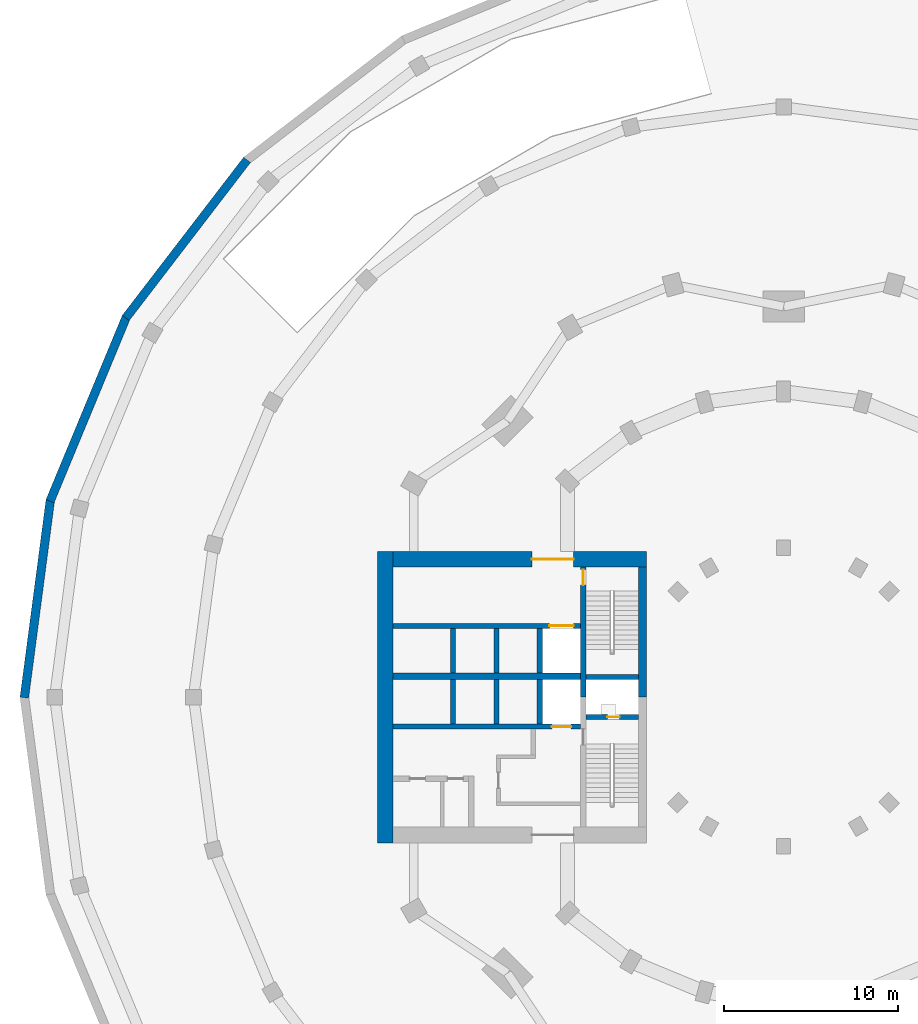
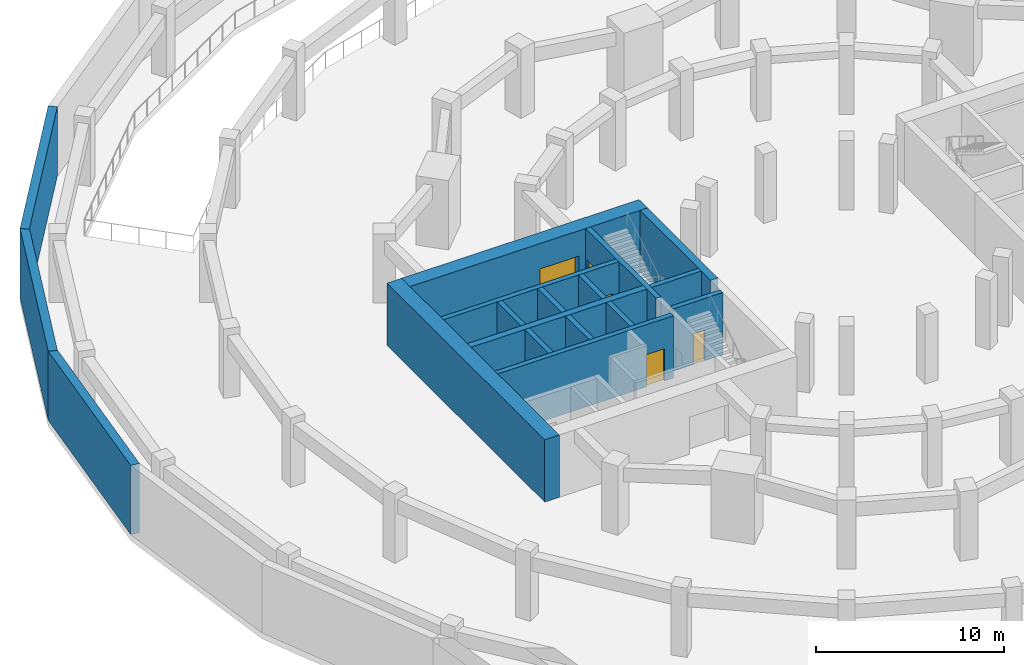
# One storey, part 4 of 7: 18 walls, 5 doors, 5 openings.
"""IFC4 building model written with IfcOpenShell, lengths in metres."""

import ifcopenshell
import ifcopenshell.guid

model = None  # the IFC model being written
_history = None  # IfcOwnerHistory: only IFC2X3 demands one
_inside = {}  # id of a spatial element -> (the spatial element, [elements in it])
_under = {}  # id of a project, library or spatial element -> (it, [spatial elements below it])
_declared = {}  # id of a project -> (the project, [libraries it declares])
_typed = {}  # id of a type object -> (the type object, [elements of that type])
_made_of = {}  # id of a material, layer set ... -> (it, [elements and type objects made of it])


def new_model(schema):
    """Start an empty IFC model of exactly this schema.

    Asked for "IFC4X3", IfcOpenShell would pick the latest addendum, in which some entities
    have other attributes; the version numbers below select the first issue.
    IFC2X3 requires an IfcOwnerHistory on every rooted entity: one is made here for all.
    """
    global model, _history
    if schema == "IFC4X3":
        model = ifcopenshell.file(schema_version=(4, 3, 0, 0))
    else:
        model = ifcopenshell.file(schema=schema)
    _inside.clear()
    _under.clear()
    _declared.clear()
    _typed.clear()
    _made_of.clear()
    _history = None
    if model.schema == "IFC2X3":
        org = make("IfcOrganization", Name="unknown")
        user = make(
            "IfcPersonAndOrganization",
            ThePerson=make("IfcPerson", FamilyName="unknown"),
            TheOrganization=org,
        )
        app = make(
            "IfcApplication",
            ApplicationDeveloper=org,
            Version="unknown",
            ApplicationFullName="unknown",
            ApplicationIdentifier="unknown",
        )
        _history = make(
            "IfcOwnerHistory",
            OwningUser=user,
            OwningApplication=app,
            ChangeAction="ADDED",
            CreationDate=0,
        )
    return model


def make(cls, **values):
    """One entity of the class cls with the attributes given. An attribute that is None is left unset."""
    return model.create_entity(
        cls, **{name: value for name, value in values.items() if value is not None}
    )


def rooted(cls, **values):
    """An entity with a GlobalId (a new one), such as an element, a storey or a relation."""
    return make(cls, GlobalId=ifcopenshell.guid.new(), OwnerHistory=_history, **values)


def si_unit(unit_type, name, prefix=None):
    """IfcSIUnit, for example si_unit("LENGTHUNIT", "METRE", prefix="MILLI")."""
    return make("IfcSIUnit", UnitType=unit_type, Prefix=prefix, Name=name)


def assignment(units):
    """IfcUnitAssignment: the units of a project."""
    return None if units is None else make("IfcUnitAssignment", Units=units)


def point(xyz):
    """IfcCartesianPoint."""
    return None if xyz is None else make("IfcCartesianPoint", Coordinates=xyz)


def direction(xyz):
    """IfcDirection."""
    return None if xyz is None else make("IfcDirection", DirectionRatios=xyz)


def frame(location, z_axis=None, x_axis=None):
    """IfcAxis2Placement3D, a coordinate frame: its origin and axes. An axis left out is left unset."""
    return make(
        "IfcAxis2Placement3D",
        Location=point(location),
        Axis=direction(z_axis),
        RefDirection=direction(x_axis),
    )


def frame_2d(location, x_axis=None):
    """IfcAxis2Placement2D, a coordinate frame in the plane: its origin and x axis."""
    return make(
        "IfcAxis2Placement2D", Location=point(location), RefDirection=direction(x_axis)
    )


def origin():
    """The frame at (0, 0, 0) with its axes left unset."""
    return frame((0.0, 0.0, 0.0))


def place(relative_to, where):
    """IfcLocalPlacement: puts the frame where relative to a parent placement (None: the world)."""
    return make(
        "IfcLocalPlacement", PlacementRelTo=relative_to, RelativePlacement=where
    )


def context(
    kind, dimensions, precision=None, world=None, true_north=None, identifier=None
):
    """IfcGeometricRepresentationContext, for example the 3D "Model" context."""
    return make(
        "IfcGeometricRepresentationContext",
        ContextIdentifier=identifier,
        ContextType=kind,
        CoordinateSpaceDimension=dimensions,
        Precision=precision,
        WorldCoordinateSystem=world,
        TrueNorth=true_north,
    )


def subcontext(parent, identifier, kind, view, scale=None):
    """IfcGeometricRepresentationSubContext, for example "Body" below "Model"."""
    return make(
        "IfcGeometricRepresentationSubContext",
        ContextIdentifier=identifier,
        ContextType=kind,
        ParentContext=parent,
        TargetScale=scale,
        TargetView=view,
    )


def project(units=None, contexts=None):
    """IfcProject with its units and contexts."""
    return rooted(
        "IfcProject",
        Name="project",
        RepresentationContexts=contexts,
        UnitsInContext=assignment(units),
    )


def spatial(cls, under=None, at=None, **own):
    """A site, building, storey or space (cls), placed at a placement, below another one or the project."""
    s = rooted(cls, ObjectPlacement=at, **own)
    if under is not None:
        _under.setdefault(under.id(), (under, []))[1].append(s)
    return s


def profile(cls, at=None, kind="AREA", **sizes):
    """A parametric profile (cls). Its sizes go by their IFC names, for example OverallWidth=200.0."""
    return make(cls, ProfileType=kind, Position=at, **sizes)


def rectangle(**sizes):
    """IfcRectangleProfileDef."""
    return profile("IfcRectangleProfileDef", **sizes)


def extrude(swept, where, along, depth):
    """IfcExtrudedAreaSolid: the profile swept, set in the frame where, extruded along a direction by depth."""
    return make(
        "IfcExtrudedAreaSolid",
        SweptArea=swept,
        Position=where,
        ExtrudedDirection=direction(along),
        Depth=depth,
    )


def shape(context_of_items, identifier, shape_type, items):
    """IfcShapeRepresentation: the items that make up one representation, for example the "Body"."""
    return make(
        "IfcShapeRepresentation",
        ContextOfItems=context_of_items,
        RepresentationIdentifier=identifier,
        RepresentationType=shape_type,
        Items=items,
    )


def material(Name=None, Category=None):
    """IfcMaterial."""
    return make("IfcMaterial", Name=Name, Category=Category)


def layer(
    of_material, thickness, ventilated=None, Name=None, Category=None, Priority=None
):
    """IfcMaterialLayer: one layer of a wall or slab, of a material (None: an air gap)."""
    return make(
        "IfcMaterialLayer",
        Material=of_material,
        LayerThickness=thickness,
        IsVentilated=ventilated,
        Name=Name,
        Category=Category,
        Priority=Priority,
    )


def layer_set(layers, Name=None):
    """IfcMaterialLayerSet."""
    return make("IfcMaterialLayerSet", MaterialLayers=layers, LayerSetName=Name)


def made_of(thing, what):
    """Note that an element or type object is made of a material, layer set ...; save() writes the relation."""
    if what is not None:
        _made_of.setdefault(what.id(), (what, []))[1].append(thing)
    return thing


def type_object(cls, material=None, **own):
    """A type object (cls), such as IfcWallType, which elements share."""
    return made_of(rooted(cls, **own), material)


def element(
    cls,
    number,
    at=None,
    inside=None,
    cuts=None,
    type_object=None,
    material=None,
    context=None,
    identifier="Body",
    shape_type=None,
    held_by="IfcProductDefinitionShape",
    body=None,
    shapes=None,
    **own,
):
    """One element of the class cls, such as IfcWall. Its Tag is "e" and its number.

    at: its placement. inside: the storey or other place that contains it. cuts: it is an
    opening in that element (IfcRelVoidsElement). A single representation is given by context,
    identifier, shape_type and body (its items); several are given by shapes. held_by: the class
    of the entity that holds the representations. save() writes the other relations.
    """
    e = rooted(cls, Tag="e%d" % number, ObjectPlacement=at, **own)
    if body is not None:
        shapes = [shape(context, identifier, shape_type, body)]
    if shapes is not None:
        e.Representation = make(held_by, Representations=shapes)
    if inside is not None:
        _inside.setdefault(inside.id(), (inside, []))[1].append(e)
    if cuts is not None:
        rooted(
            "IfcRelVoidsElement", RelatingBuildingElement=cuts, RelatedOpeningElement=e
        )
    if type_object is not None:
        _typed.setdefault(type_object.id(), (type_object, []))[1].append(e)
    return made_of(e, material)


def fill(opening, filler):
    """IfcRelFillsElement: the door or window that sits in an opening."""
    return rooted(
        "IfcRelFillsElement",
        RelatingOpeningElement=opening,
        RelatedBuildingElement=filler,
    )


def aggregate(whole, parts):
    """IfcRelAggregates: a whole, such as a stair, and the parts it consists of."""
    return rooted("IfcRelAggregates", RelatingObject=whole, RelatedObjects=parts)


def save(model, path):
    """Write the relations noted so far, then the file.

    IfcRelAggregates (storeys below a building ...), IfcRelContainedInSpatialStructure (elements
    in a storey), IfcRelDefinesByType, IfcRelAssociatesMaterial and IfcRelDeclares: one each for
    every whole, place, type object, material and project.
    """
    for whole, parts in _under.values():
        aggregate(whole, parts)
    for where, things in _inside.values():
        rooted(
            "IfcRelContainedInSpatialStructure",
            RelatedElements=things,
            RelatingStructure=where,
        )
    for kind, things in _typed.values():
        rooted("IfcRelDefinesByType", RelatedObjects=things, RelatingType=kind)
    for what, things in _made_of.values():
        rooted("IfcRelAssociatesMaterial", RelatedObjects=things, RelatingMaterial=what)
    for by, libraries in _declared.values():
        rooted("IfcRelDeclares", RelatingContext=by, RelatedDefinitions=libraries)
    model.write(path)


model = new_model("IFC4")

# Units and contexts
model_context = context("Model", 3, precision=1e-05, world=origin(), true_north=direction((0.0, 1.0)))
body_context = subcontext(model_context, "Body", "Model", "MODEL_VIEW")
ifc_project = project(units=[si_unit("LENGTHUNIT", "METRE"), si_unit("AREAUNIT", "SQUARE_METRE"), si_unit("VOLUMEUNIT", "CUBIC_METRE"), si_unit("PLANEANGLEUNIT", "RADIAN"), si_unit("MASSUNIT", "GRAM", prefix="KILO")], contexts=[model_context])

# Site, building, storey
site_placement = place(None, origin())
site = spatial("IfcSite", under=ifc_project, at=site_placement, CompositionType="ELEMENT")
building_placement = place(site_placement, origin())
building = spatial("IfcBuilding", under=site, at=building_placement, Name="Torre Brocal", CompositionType="ELEMENT")
storey_placement = place(building_placement, frame((0.0, 0.0, -4.5)))
storey = spatial("IfcBuildingStorey", under=building, at=storey_placement, Name="B1", CompositionType="ELEMENT", Elevation=-4.5)

# Wall, opening, door
ifc_material_1 = material(Name="Concrete C80", Category="concrete")
ifc_layer_1 = layer(ifc_material_1, 0.300048828125)
ifc_layer_set_1 = layer_set([ifc_layer_1], Name="Concrete C80")
wall_type_1 = type_object("IfcWallType", Name="CORE WALL 300 C80 UNDER 450 SLAB", PredefinedType="SHEAR", material=ifc_layer_set_1)
wall_1_placement = place(storey_placement, frame((68.449951171875, 82.5, 0.0), z_axis=(0.0, 0.0, 1.0), x_axis=(0.0, -1.0, 0.0)))
wall_1 = element("IfcWall", 1, at=wall_1_placement, inside=storey, type_object=wall_type_1, Name="Wall CW300-80-S450", PredefinedType="SHEAR", context=body_context, shape_type="SweptSolid", body=[
    extrude(rectangle(XDim=7.5, YDim=0.300048828125, at=frame_2d((3.75, 0.0))), origin(), (0.0, 0.0, 1.0), 4.050048828125),
])
opening_1_placement = place(wall_1_placement, frame((0.14990234375, 0.0, 0.0)))
opening_1 = element("IfcOpeningElement", 2, at=opening_1_placement, cuts=wall_1, Name="Opening W-D03", PredefinedType="OPENING", context=body_context, shape_type="SweptSolid", body=[
    extrude(rectangle(XDim=0.89990234375, YDim=2.10009765625, at=frame_2d((0.449951171875, 1.050048828125))), frame((0.0, 0.159912109375, 0.0), z_axis=(0.0, -1.0, 0.0), x_axis=(1.0, 0.0, 0.0)), (0.0, 0.0, 1.0), 0.320068359375),
])
ifc_material_2 = material(Name="Steel A653", Category="steel")
door_type_1 = type_object("IfcDoorType", Name="STAIR DOOR FD120 900X2100", OperationType="SINGLE_SWING_RIGHT", PredefinedType="DOOR", material=ifc_material_2)
door_1_placement = place(opening_1_placement, origin())
door_1 = element("IfcDoor", 3, at=door_1_placement, inside=storey, type_object=door_type_1, Name="Door W-D03", OperationType="SINGLE_SWING_LEFT", OverallHeight=2.10009765625, OverallWidth=0.89990234375, PredefinedType="DOOR", context=body_context, shape_type="SweptSolid", body=[
    extrude(rectangle(XDim=0.89990234375, YDim=2.10009765625, at=frame_2d((0.449951171875, 1.050048828125))), frame((0.0, 0.02490234375, 0.0), z_axis=(0.0, -1.0, 0.0), x_axis=(1.0, 0.0, 0.0)), (0.0, 0.0, 1.0), 0.050048828125),
])
fill(opening_1, door_1)

wall_2_placement = place(storey_placement, frame((71.64990234375, 73.85009765625, 0.0), z_axis=(0.0, 0.0, 1.0), x_axis=(-1.0, 0.0, 0.0)))
wall_2 = element("IfcWall", 4, at=wall_2_placement, inside=storey, type_object=wall_type_1, Name="Wall CW300-80-S450", PredefinedType="SHEAR", context=body_context, shape_type="SweptSolid", body=[
    extrude(rectangle(XDim=3.0498046875, YDim=0.300048828125, at=frame_2d((1.52490234375, 0.0))), origin(), (0.0, 0.0, 1.0), 4.050048828125),
])
opening_2_placement = place(wall_2_placement, frame((1.10009765625, 0.0, 0.0)))
opening_2 = element("IfcOpeningElement", 5, at=opening_2_placement, cuts=wall_2, Name="Opening W-D01", PredefinedType="OPENING", context=body_context, shape_type="SweptSolid", body=[
    extrude(rectangle(XDim=0.699951171875, YDim=2.0, at=frame_2d((0.35009765625, 1.0))), frame((0.0, 0.159912109375, 0.0), z_axis=(0.0, -1.0, 0.0), x_axis=(1.0, 0.0, 0.0)), (0.0, 0.0, 1.0), 0.320068359375),
])
ifc_material_3 = material(Name="Steel A653", Category="steel")
door_type_2 = type_object("IfcDoorType", Name="RISER DOOR FD120 700X2000", OperationType="SINGLE_SWING_LEFT", PredefinedType="DOOR", material=ifc_material_3)
door_2_placement = place(opening_2_placement, frame((0.699951171875, 0.0, 0.0), z_axis=(0.0, 0.0, 1.0), x_axis=(-1.0, 0.0, 0.0)))
door_2 = element("IfcDoor", 6, at=door_2_placement, inside=storey, type_object=door_type_2, Name="Door W-D01", OperationType="SINGLE_SWING_RIGHT", OverallHeight=2.0, OverallWidth=0.699951171875, PredefinedType="DOOR", context=body_context, shape_type="SweptSolid", body=[
    extrude(rectangle(XDim=0.699951171875, YDim=2.0, at=frame_2d((0.35009765625, 1.0))), frame((0.0, 0.02490234375, 0.0), z_axis=(0.0, -1.0, 0.0), x_axis=(1.0, 0.0, 0.0)), (0.0, 0.0, 1.0), 0.050048828125),
])
fill(opening_2, door_2)

# Wall
wall_3_placement = place(storey_placement, frame((71.64990234375, 76.14990234375, 0.0), z_axis=(0.0, 0.0, 1.0), x_axis=(-1.0, 0.0, 0.0)))
element("IfcWall", 7, at=wall_3_placement, inside=storey, type_object=wall_type_1, Name="Wall CW300-80-S450", PredefinedType="SHEAR", context=body_context, shape_type="SweptSolid", body=[
    extrude(rectangle(XDim=3.0498046875, YDim=0.300048828125, at=frame_2d((1.52490234375, 0.0))), origin(), (0.0, 0.0, 1.0), 4.050048828125),
])

# Wall, opening, door
wall_4_placement = place(storey_placement, frame((68.300048828125, 73.300048828125, 0.0), z_axis=(0.0, 0.0, 1.0), x_axis=(-1.0, 0.0, 0.0)))
wall_4 = element("IfcWall", 8, at=wall_4_placement, inside=storey, type_object=wall_type_1, Name="Wall CW300-80-S450", PredefinedType="SHEAR", context=body_context, shape_type="SweptSolid", body=[
    extrude(rectangle(XDim=10.800048828125, YDim=0.300048828125, at=frame_2d((5.39990234375, 0.0))), origin(), (0.0, 0.0, 1.0), 4.050048828125),
])
opening_3_placement = place(wall_4_placement, frame((0.550048828125, 0.0, 0.0)))
opening_3 = element("IfcOpeningElement", 9, at=opening_3_placement, cuts=wall_4, Name="Opening LD", PredefinedType="OPENING", context=body_context, shape_type="SweptSolid", body=[
    extrude(rectangle(XDim=1.10009765625, YDim=2.10009765625, at=frame_2d((0.550048828125, 1.050048828125))), frame((0.0, 0.159912109375, 0.0), z_axis=(0.0, -1.0, 0.0), x_axis=(1.0, 0.0, 0.0)), (0.0, 0.0, 1.0), 0.320068359375),
])
ifc_material_4 = material(Name="Stainless steel AISI 316", Category="steel")
door_type_3 = type_object("IfcDoorType", Name="LIFT LANDING DOOR 1100X2100", OperationType="DOUBLE_DOOR_SLIDING", PredefinedType="DOOR", material=ifc_material_4)
door_3_placement = place(opening_3_placement, origin())
door_3 = element("IfcDoor", 10, at=door_3_placement, inside=storey, type_object=door_type_3, Name="Door LD", OperationType="DOUBLE_DOOR_SLIDING", OverallHeight=2.10009765625, OverallWidth=1.10009765625, PredefinedType="DOOR", context=body_context, shape_type="SweptSolid", body=[
    extrude(rectangle(XDim=1.10009765625, YDim=2.10009765625, at=frame_2d((0.550048828125, 1.050048828125))), frame((0.0, 0.02490234375, 0.0), z_axis=(0.0, -1.0, 0.0), x_axis=(1.0, 0.0, 0.0)), (0.0, 0.0, 1.0), 0.050048828125),
])
fill(opening_3, door_3)

wall_5_placement = place(storey_placement, frame((68.300048828125, 79.10009765625, 0.0), z_axis=(0.0, 0.0, 1.0), x_axis=(-1.0, 0.0, 0.0)))
wall_5 = element("IfcWall", 11, at=wall_5_placement, inside=storey, type_object=wall_type_1, Name="Wall CW300-80-S450", PredefinedType="SHEAR", context=body_context, shape_type="SweptSolid", body=[
    extrude(rectangle(XDim=10.800048828125, YDim=0.300048828125, at=frame_2d((5.39990234375, 0.0))), origin(), (0.0, 0.0, 1.0), 4.050048828125),
])
opening_4_placement = place(wall_5_placement, frame((0.39990234375, 0.0, 0.0)))
opening_4 = element("IfcOpeningElement", 12, at=opening_4_placement, cuts=wall_5, Name="Opening LD14", PredefinedType="OPENING", context=body_context, shape_type="SweptSolid", body=[
    extrude(rectangle(XDim=1.39990234375, YDim=2.10009765625, at=frame_2d((0.699951171875, 1.050048828125))), frame((0.0, 0.159912109375, 0.0), z_axis=(0.0, -1.0, 0.0), x_axis=(1.0, 0.0, 0.0)), (0.0, 0.0, 1.0), 0.320068359375),
])
ifc_material_5 = material(Name="Stainless steel AISI 316", Category="steel")
door_type_4 = type_object("IfcDoorType", Name="LIFT LANDING DOOR 1400X2100", OperationType="DOUBLE_DOOR_SLIDING", PredefinedType="DOOR", material=ifc_material_5)
door_4_placement = place(opening_4_placement, origin())
door_4 = element("IfcDoor", 13, at=door_4_placement, inside=storey, type_object=door_type_4, Name="Door LD14", OperationType="DOUBLE_DOOR_SLIDING", OverallHeight=2.10009765625, OverallWidth=1.39990234375, PredefinedType="DOOR", context=body_context, shape_type="SweptSolid", body=[
    extrude(rectangle(XDim=1.39990234375, YDim=2.10009765625, at=frame_2d((0.699951171875, 1.050048828125))), frame((0.0, 0.02490234375, 0.0), z_axis=(0.0, -1.0, 0.0), x_axis=(1.0, 0.0, 0.0)), (0.0, 0.0, 1.0), 0.050048828125),
])
fill(opening_4, door_4)

# Walls
for number, where, z_axis, x_axis, name in (
    (14, (65.949951171875, 76.0, 0.0), (0.0, 0.0, 1.0), (0.0, -1.0, 0.0), "Wall CW300-80-S450"),
    (15, (63.449951171875, 76.0, 0.0), (0.0, 0.0, 1.0), (0.0, -1.0, 0.0), "Wall CW300-80-S450"),
    (16, (60.949951171875, 76.0, 0.0), (0.0, 0.0, 1.0), (0.0, -1.0, 0.0), "Wall CW300-80-S450"),
    (17, (65.949951171875, 78.949951171875, 0.0), (0.0, 0.0, 1.0), (0.0, -1.0, 0.0), "Wall CW300-80-S450"),
    (18, (63.449951171875, 78.949951171875, 0.0), (0.0, 0.0, 1.0), (0.0, -1.0, 0.0), "Wall CW300-80-S450"),
    (19, (60.949951171875, 78.949951171875, 0.0), (0.0, 0.0, 1.0), (0.0, -1.0, 0.0), "Wall CW300-80-S450"),
):
    element("IfcWall", number, at=place(storey_placement, frame(where, z_axis=z_axis, x_axis=x_axis)), inside=storey, type_object=wall_type_1, Name=name, PredefinedType="SHEAR", context=body_context, shape_type="SweptSolid", body=[
        extrude(rectangle(XDim=2.550048828125, YDim=0.300048828125, at=frame_2d((1.27490234375, 0.0))), origin(), (0.0, 0.0, 1.0), 4.050048828125),
    ])
ifc_material_6 = material(Name="Concrete C80", Category="concrete")
ifc_layer_2 = layer(ifc_material_6, 0.39990234375)
ifc_layer_set_2 = layer_set([ifc_layer_2], Name="Concrete C80")
wall_type_2 = type_object("IfcWallType", Name="CORE WALL 400 C80 UNDER 450 SLAB", PredefinedType="SHEAR", material=ifc_layer_set_2)
wall_6_placement = place(storey_placement, frame((68.300048828125, 76.199951171875, 0.0), z_axis=(0.0, 0.0, 1.0), x_axis=(-1.0, 0.0, 0.0)))
element("IfcWall", 20, at=wall_6_placement, inside=storey, type_object=wall_type_2, Name="Wall CW400-80-S450", PredefinedType="SHEAR", context=body_context, shape_type="SweptSolid", body=[
    extrude(rectangle(XDim=10.800048828125, YDim=0.39990234375, at=frame_2d((5.39990234375, 0.0))), origin(), (0.0, 0.0, 1.0), 4.050048828125),
])
ifc_material_7 = material(Name="Concrete C80", Category="concrete")
ifc_layer_3 = layer(ifc_material_7, 0.449951171875)
ifc_layer_set_3 = layer_set([ifc_layer_3], Name="Concrete C80")
wall_type_3 = type_object("IfcWallType", Name="CORE WALL 450 C80 UNDER 450 SLAB", PredefinedType="SHEAR", material=ifc_layer_set_3)
wall_7_placement = place(storey_placement, frame((71.875, 82.5, 0.0), z_axis=(0.0, 0.0, 1.0), x_axis=(0.0, -1.0, 0.0)))
element("IfcWall", 21, at=wall_7_placement, inside=storey, type_object=wall_type_3, Name="Wall CW450-80-S450", PredefinedType="SHEAR", context=body_context, shape_type="SweptSolid", body=[
    extrude(rectangle(XDim=7.5, YDim=0.449951171875, at=frame_2d((3.75, 0.0))), origin(), (0.0, 0.0, 1.0), 4.050048828125),
])

# Wall, opening, door
ifc_material_8 = material(Name="Concrete C80", Category="concrete")
ifc_layer_4 = layer(ifc_material_8, 0.89990234375)
ifc_layer_set_4 = layer_set([ifc_layer_4], Name="Concrete C80")
wall_type_4 = type_object("IfcWallType", Name="CORE WALL 900 C80 UNDER 450 SLAB", PredefinedType="SHEAR", material=ifc_layer_set_4)
wall_8_placement = place(storey_placement, frame((72.10009765625, 82.949951171875, 0.0), z_axis=(0.0, 0.0, 1.0), x_axis=(-1.0, 0.0, 0.0)))
wall_8 = element("IfcWall", 22, at=wall_8_placement, inside=storey, type_object=wall_type_4, Name="Wall CW900-80-S450", PredefinedType="SHEAR", context=body_context, shape_type="SweptSolid", body=[
    extrude(rectangle(XDim=14.60009765625, YDim=0.89990234375, at=frame_2d((7.300048828125, 0.0))), origin(), (0.0, 0.0, 1.0), 4.050048828125),
])
opening_5_placement = place(wall_8_placement, frame((4.199951171875, 0.0, 0.0)))
opening_5 = element("IfcOpeningElement", 23, at=opening_5_placement, cuts=wall_8, Name="Opening W-D27", PredefinedType="OPENING", context=body_context, shape_type="SweptSolid", body=[
    extrude(rectangle(XDim=2.39990234375, YDim=2.39990234375, at=frame_2d((1.199951171875, 1.199951171875))), frame((0.0, 0.4599609375, 0.0), z_axis=(0.0, -1.0, 0.0), x_axis=(1.0, 0.0, 0.0)), (0.0, 0.0, 1.0), 0.919921875),
])
ifc_material_9 = material(Name="Steel A653", Category="steel")
door_type_5 = type_object("IfcDoorType", Name="DOUBLE FIRE DOOR FD90 2400X2400", OperationType="DOUBLE_DOOR_SINGLE_SWING", PredefinedType="DOOR", material=ifc_material_9)
door_5_placement = place(opening_5_placement, origin())
door_5 = element("IfcDoor", 24, at=door_5_placement, inside=storey, type_object=door_type_5, Name="Door W-D27", OperationType="DOUBLE_DOOR_SINGLE_SWING", OverallHeight=2.39990234375, OverallWidth=2.39990234375, PredefinedType="DOOR", context=body_context, shape_type="SweptSolid", body=[
    extrude(rectangle(XDim=2.39990234375, YDim=2.39990234375, at=frame_2d((1.199951171875, 1.199951171875))), frame((0.0, 0.02490234375, 0.0), z_axis=(0.0, -1.0, 0.0), x_axis=(1.0, 0.0, 0.0)), (0.0, 0.0, 1.0), 0.050048828125),
])
fill(opening_5, door_5)

# Walls
wall_9_placement = place(storey_placement, frame((57.050048828125, 83.39990234375, 0.0), z_axis=(0.0, 0.0, 1.0), x_axis=(0.0, -1.0, 0.0)))
element("IfcWall", 25, at=wall_9_placement, inside=storey, type_object=wall_type_4, Name="Wall CW900-80-S450", PredefinedType="SHEAR", context=body_context, shape_type="SweptSolid", body=[
    extrude(rectangle(XDim=16.7998046875, YDim=0.89990234375, at=frame_2d((8.39990234375, 0.0))), origin(), (0.0, 0.0, 1.0), 4.050048828125),
])
ifc_material_10 = material(Name="Concrete C45", Category="concrete")
ifc_layer_5 = layer(ifc_material_10, 0.5)
ifc_layer_set_5 = layer_set([ifc_layer_5], Name="Concrete C45")
wall_type_5 = type_object("IfcWallType", Name="RC RETAINING WALL 500 C45", PredefinedType="STANDARD", material=ifc_layer_set_5)
for number, where, z_axis, x_axis, name in (
    (26, (49.085693359375, 105.96044921875, 0.0), (0.0, 0.0, 1.0), (-0.608768387966, -0.793348000447, 0.0), "Wall RW-1"),
    (27, (42.125732421875, 96.904296875, 0.0), (0.0, 0.0, 1.0), (-0.382679682269, -0.923881085843, 0.0), "Wall RW-1"),
):
    element("IfcWall", number, at=place(storey_placement, frame(where, z_axis=z_axis, x_axis=x_axis)), inside=storey, type_object=wall_type_5, Name=name, PredefinedType="STANDARD", context=body_context, shape_type="SweptSolid", body=[
        extrude(rectangle(XDim=11.486083984375, YDim=0.5, at=frame_2d((5.7431640625, 0.0))), origin(), (0.0, 0.0, 1.0), 4.5),
    ])
wall_10_placement = place(storey_placement, frame((37.7470703125, 86.35546875, 0.0), z_axis=(0.0, 0.0, 1.0), x_axis=(-0.130524888474, -0.991445033014, 0.0)))
element("IfcWall", 28, at=wall_10_placement, inside=storey, type_object=wall_type_5, Name="Wall RW-1", PredefinedType="STANDARD", context=body_context, shape_type="SweptSolid", body=[
    extrude(rectangle(XDim=11.486328125, YDim=0.5, at=frame_2d((5.7431640625, 0.0))), origin(), (0.0, 0.0, 1.0), 4.5),
])

save(model, "model.ifc")
